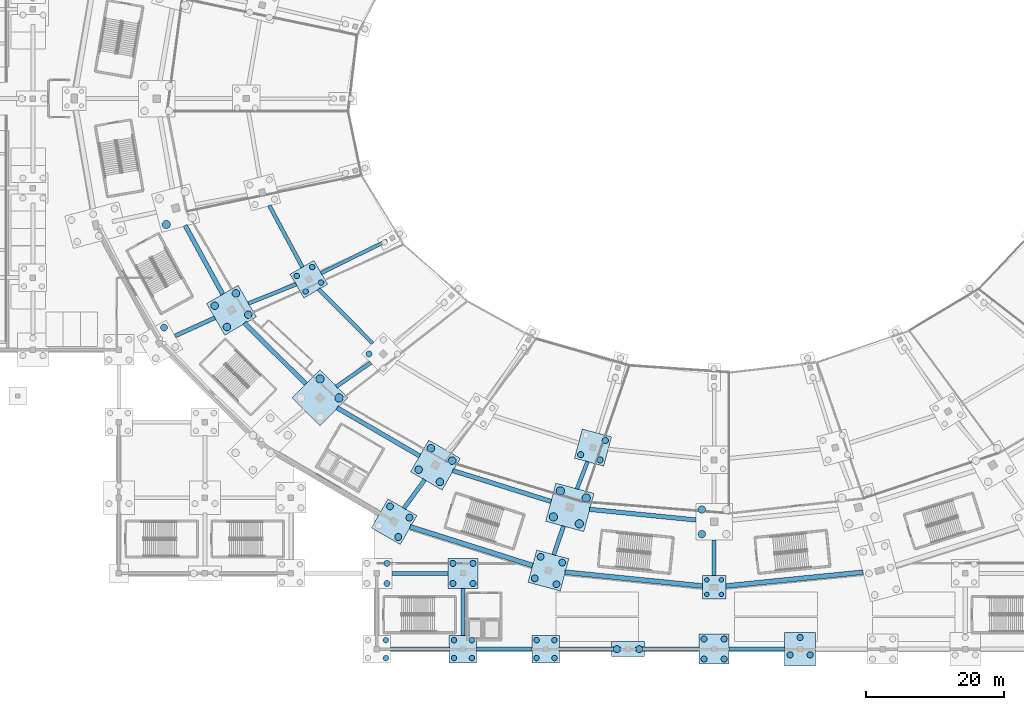
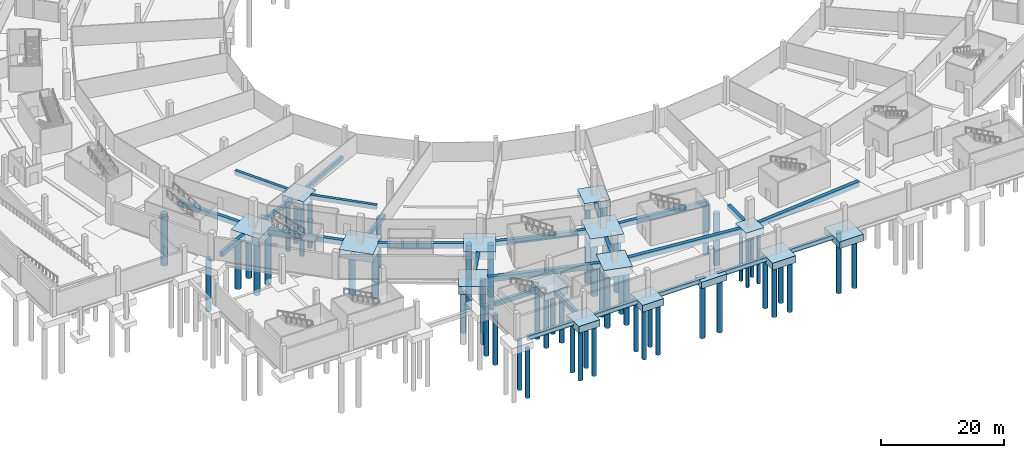
# One storey, part 2 of 74: 62 piles, 40 footings.
"""IFC4 building model written with IfcOpenShell, lengths in metres."""

from ifc_helpers import new_model, si_unit, direction, frame, origin, origin_2d, place, context, subcontext, project, spatial, polyline, rectangle, circle, outline, extrude, material, material_profile, profile_set, type_object, element, save


model = new_model("IFC4")

# Units and contexts
model_context = context("Model", 3, precision=1e-05, world=origin(), true_north=direction((0.0, 1.0)))
body_context = subcontext(model_context, "Body", "Model", "MODEL_VIEW")
ifc_project = project(units=[si_unit("LENGTHUNIT", "METRE"), si_unit("AREAUNIT", "SQUARE_METRE"), si_unit("VOLUMEUNIT", "CUBIC_METRE"), si_unit("PLANEANGLEUNIT", "RADIAN"), si_unit("MASSUNIT", "GRAM", prefix="KILO")], contexts=[model_context])

# Site, building, storey
site_placement = place(None, origin())
site = spatial("IfcSite", under=ifc_project, at=site_placement, CompositionType="ELEMENT")
building_placement = place(site_placement, origin())
building = spatial("IfcBuilding", under=site, at=building_placement, Name="Zlatoyarsky Gate Stadium", CompositionType="ELEMENT")
storey_placement = place(building_placement, frame((0.0, 0.0, -5.39990234375)))
storey = spatial("IfcBuildingStorey", under=building, at=storey_placement, Name="B1", CompositionType="ELEMENT", Elevation=-5.39990234375)

# Piles
ifc_material = material(Name="Concrete C35/45", Category="concrete")
ifc_material_profile_1 = material_profile(ifc_material, circle(Radius=0.324951171875, at=origin_2d()), Name="ANCHOR PILE D650")
ifc_profile_set_1 = profile_set([ifc_material_profile_1], Name="Concrete C35/45")
pile_type_1 = type_object("IfcPileType", Name="CONCRETE ANCHOR PILE D650", PredefinedType="SUPPORT", material=ifc_profile_set_1)
for number, where, z_axis, x_axis, name in (
    (1, (109.943603515625, 10.056396484375, -1.2001953125), (0.0, 0.0, -1.0), (1.0, 0.0, 0.0), "Pile 1 under RC-18"),
    (2, (109.943603515625, 7.943603515625, -1.2001953125), (0.0, 0.0, -1.0), (1.0, 0.0, 0.0), "Pile 2 under RC-18"),
    (3, (112.056396484375, 10.056396484375, -1.2001953125), (0.0, 0.0, -1.0), (1.0, 0.0, 0.0), "Pile 3 under RC-18"),
    (4, (112.056396484375, 7.943603515625, -1.2001953125), (0.0, 0.0, -1.0), (1.0, 0.0, 0.0), "Pile 4 under RC-18"),
):
    element("IfcPile", number, at=place(storey_placement, frame(where, z_axis=z_axis, x_axis=x_axis)), inside=storey, type_object=pile_type_1, Name=name, PredefinedType="SUPPORT", context=body_context, shape_type="SweptSolid", body=[
        extrude(circle(Radius=0.324951171875, at=origin_2d()), origin(), (0.0, 0.0, 1.0), 10.0),
    ])
ifc_material_profile_2 = material_profile(ifc_material, circle(Radius=0.5, at=origin_2d()), Name="BORED PILE D1000")
ifc_profile_set_2 = profile_set([ifc_material_profile_2], Name="Concrete C35/45")
pile_type_2 = type_object("IfcPileType", Name="CONCRETE BORED PILE D1000", PredefinedType="BORED", material=ifc_profile_set_2)
for number, where, z_axis, x_axis, name in (
    (5, (31.054443359375, 46.7197265625, -1.400146484375), (0.0, 0.0, -1.0), (1.0, 0.0, 0.0), "Pile 1 under RC-14"),
    (6, (63.9052734375, 20.73193359375, -1.400146484375), (0.0, 0.0, -1.0), (1.0, 0.0, 0.0), "Pile 1 under RC-16"),
    (7, (66.7197265625, 19.10693359375, -1.400146484375), (0.0, 0.0, -1.0), (1.0, 0.0, 0.0), "Pile 3 under RC-16"),
    (8, (65.0947265625, 16.29248046875, -1.400146484375), (0.0, 0.0, -1.0), (1.0, 0.0, 0.0), "Pile 4 under RC-16"),
    (9, (85.78076171875, 13.409423828125, -1.400146484375), (0.0, 0.0, -1.0), (1.0, 0.0, 0.0), "Pile 1 under RC-17"),
    (10, (84.939697265625, 10.270263671875, -1.400146484375), (0.0, 0.0, -1.0), (1.0, 0.0, 0.0), "Pile 2 under RC-17"),
    (11, (88.919921875, 12.568359375, -1.400146484375), (0.0, 0.0, -1.0), (1.0, 0.0, 0.0), "Pile 3 under RC-17"),
    (12, (88.078857421875, 9.42919921875, -1.400146484375), (0.0, 0.0, -1.0), (1.0, 0.0, 0.0), "Pile 4 under RC-17"),
):
    element("IfcPile", number, at=place(storey_placement, frame(where, z_axis=z_axis, x_axis=x_axis)), inside=storey, type_object=pile_type_2, Name=name, PredefinedType="BORED", context=body_context, shape_type="SweptSolid", body=[
        extrude(circle(Radius=0.5, at=origin_2d()), origin(), (0.0, 0.0, 1.0), 10.39990234375),
    ])
for number, where, z_axis, x_axis, name in (
    (13, (96.875, 0.0, -1.2001953125), (0.0, 0.0, -1.0), (1.0, 0.0, 0.0), "Pile 1 under WG-9-A"),
    (14, (100.125, 0.0, -1.2001953125), (0.0, 0.0, -1.0), (1.0, 0.0, 0.0), "Pile 2 under WG-9-A"),
):
    element("IfcPile", number, at=place(storey_placement, frame(where, z_axis=z_axis, x_axis=x_axis)), inside=storey, type_object=pile_type_2, Name=name, PredefinedType="BORED", context=body_context, shape_type="SweptSolid", body=[
        extrude(circle(Radius=0.5, at=origin_2d()), origin(), (0.0, 0.0, 1.0), 10.60009765625),
    ])
ifc_material_profile_3 = material_profile(ifc_material, circle(Radius=0.550048828125, at=origin_2d()), Name="BORED PILE D1100")
ifc_profile_set_3 = profile_set([ifc_material_profile_3], Name="Concrete C35/45")
pile_type_3 = type_object("IfcPileType", Name="CONCRETE BORED PILE D1100", PredefinedType="BORED", material=ifc_profile_set_3)
for number, where, z_axis, x_axis, name in (
    (15, (41.506103515625, 51.69189453125, -1.4501953125), (0.0, 0.0, -1.0), (1.0, 0.0, 0.0), "Pile 1 under RB-14"),
    (16, (38.41015625, 49.904296875, -1.4501953125), (0.0, 0.0, -1.0), (1.0, 0.0, 0.0), "Pile 2 under RB-14"),
    (17, (43.293701171875, 48.595703125, -1.4501953125), (0.0, 0.0, -1.0), (1.0, 0.0, 0.0), "Pile 3 under RB-14"),
    (18, (40.197509765625, 46.80810546875, -1.4501953125), (0.0, 0.0, -1.0), (1.0, 0.0, 0.0), "Pile 4 under RB-14"),
    (19, (69.845703125, 29.18115234375, -1.4501953125), (0.0, 0.0, -1.0), (1.0, 0.0, 0.0), "Pile 1 under RB-16"),
    (20, (68.05810546875, 26.085205078125, -1.4501953125), (0.0, 0.0, -1.0), (1.0, 0.0, 0.0), "Pile 2 under RB-16"),
    (21, (72.94189453125, 27.393798828125, -1.4501953125), (0.0, 0.0, -1.0), (1.0, 0.0, 0.0), "Pile 3 under RB-16"),
    (22, (71.154296875, 24.297607421875, -1.4501953125), (0.0, 0.0, -1.0), (1.0, 0.0, 0.0), "Pile 4 under RB-16"),
    (23, (109.21240234375, 20.28759765625, -1.4501953125), (0.0, 0.0, -1.0), (1.0, 0.0, 0.0), "Pile 1 under RB-18"),
    (24, (109.21240234375, 16.71240234375, -1.4501953125), (0.0, 0.0, -1.0), (1.0, 0.0, 0.0), "Pile 2 under RB-18"),
):
    element("IfcPile", number, at=place(storey_placement, frame(where, z_axis=z_axis, x_axis=x_axis)), inside=storey, type_object=pile_type_3, Name=name, PredefinedType="BORED", context=body_context, shape_type="SweptSolid", body=[
        extrude(circle(Radius=0.550048828125, at=origin_2d()), origin(), (0.0, 0.0, 1.0), 10.35009765625),
    ])
ifc_material_profile_4 = material_profile(ifc_material, circle(Radius=0.60009765625, at=origin_2d()), Name="BORED PILE D1200")
ifc_profile_set_4 = profile_set([ifc_material_profile_4], Name="Concrete C35/45")
pile_type_4 = type_object("IfcPileType", Name="CONCRETE BORED PILE D1200", PredefinedType="BORED", material=ifc_profile_set_4)
for number, where, z_axis, x_axis, name in (
    (25, (31.381103515625, 61.6943359375, -1.550048828125), (0.0, 0.0, -1.0), (1.0, 0.0, 0.0), "Pile 4 under RB-13"),
    (26, (53.724365234375, 39.2705078125, -1.550048828125), (0.0, 0.0, -1.0), (1.0, 0.0, 0.0), "Pile 1 under RB-15"),
    (27, (56.482177734375, 36.512939453125, -1.550048828125), (0.0, 0.0, -1.0), (1.0, 0.0, 0.0), "Pile 3 under RB-15"),
    (28, (88.65673828125, 22.98388671875, -1.550048828125), (0.0, 0.0, -1.0), (1.0, 0.0, 0.0), "Pile 1 under RB-17"),
    (29, (87.6474609375, 19.216796875, -1.550048828125), (0.0, 0.0, -1.0), (1.0, 0.0, 0.0), "Pile 2 under RB-17"),
    (30, (92.424072265625, 21.974609375, -1.550048828125), (0.0, 0.0, -1.0), (1.0, 0.0, 0.0), "Pile 3 under RB-17"),
    (31, (91.41455078125, 18.207275390625, -1.550048828125), (0.0, 0.0, -1.0), (1.0, 0.0, 0.0), "Pile 4 under RB-17"),
):
    element("IfcPile", number, at=place(storey_placement, frame(where, z_axis=z_axis, x_axis=x_axis)), inside=storey, type_object=pile_type_4, Name=name, PredefinedType="BORED", context=body_context, shape_type="SweptSolid", body=[
        extrude(circle(Radius=0.60009765625, at=origin_2d()), origin(), (0.0, 0.0, 1.0), 10.25),
    ])
ifc_material_profile_5 = material_profile(ifc_material, circle(Radius=0.39990234375, at=origin_2d()), Name="BORED PILE D800")
ifc_profile_set_5 = profile_set([ifc_material_profile_5], Name="Concrete C35/45")
pile_type_5 = type_object("IfcPileType", Name="CONCRETE BORED PILE D800", PredefinedType="BORED", material=ifc_profile_set_5)
for number, where, z_axis, x_axis, name in (
    (32, (52.586181640625, 55.52587890625, -1.25), (0.0, 0.0, -1.0), (1.0, 0.0, 0.0), "Pile 1 under RA-14"),
    (33, (50.33447265625, 54.225830078125, -1.25), (0.0, 0.0, -1.0), (1.0, 0.0, 0.0), "Pile 2 under RA-14"),
    (34, (53.885986328125, 53.274169921875, -1.25), (0.0, 0.0, -1.0), (1.0, 0.0, 0.0), "Pile 3 under RA-14"),
    (35, (51.634521484375, 51.97412109375, -1.25), (0.0, 0.0, -1.0), (1.0, 0.0, 0.0), "Pile 4 under RA-14"),
    (36, (63.300048828125, -1.300048828125, -1.25), (0.0, 0.0, -1.0), (1.0, 0.0, 0.0), "Pile 2 under WG-6-A"),
    (37, (63.300048828125, 1.300048828125, -1.25), (0.0, 0.0, -1.0), (1.0, 0.0, 0.0), "Pile 4 under WG-6-A"),
    (38, (73.199951171875, -1.300048828125, -1.25), (0.0, 0.0, -1.0), (1.0, 0.0, 0.0), "Pile 1 under WG-7-A"),
    (39, (75.800048828125, -1.300048828125, -1.25), (0.0, 0.0, -1.0), (1.0, 0.0, 0.0), "Pile 2 under WG-7-A"),
    (40, (73.199951171875, 1.300048828125, -1.25), (0.0, 0.0, -1.0), (1.0, 0.0, 0.0), "Pile 3 under WG-7-A"),
    (41, (75.800048828125, 1.300048828125, -1.25), (0.0, 0.0, -1.0), (1.0, 0.0, 0.0), "Pile 4 under WG-7-A"),
    (42, (85.199951171875, -1.300048828125, -1.25), (0.0, 0.0, -1.0), (1.0, 0.0, 0.0), "Pile 1 under WG-8-A"),
    (43, (87.800048828125, -1.300048828125, -1.25), (0.0, 0.0, -1.0), (1.0, 0.0, 0.0), "Pile 2 under WG-8-A"),
    (44, (85.199951171875, 1.300048828125, -1.25), (0.0, 0.0, -1.0), (1.0, 0.0, 0.0), "Pile 3 under WG-8-A"),
    (45, (87.800048828125, 1.300048828125, -1.25), (0.0, 0.0, -1.0), (1.0, 0.0, 0.0), "Pile 4 under WG-8-A"),
):
    element("IfcPile", number, at=place(storey_placement, frame(where, z_axis=z_axis, x_axis=x_axis)), inside=storey, type_object=pile_type_5, Name=name, PredefinedType="BORED", context=body_context, shape_type="SweptSolid", body=[
        extrude(circle(Radius=0.39990234375, at=origin_2d()), origin(), (0.0, 0.0, 1.0), 9.949951171875),
    ])
ifc_material_profile_6 = material_profile(ifc_material, circle(Radius=0.449951171875, at=origin_2d()), Name="BORED PILE D900")
ifc_profile_set_6 = profile_set([ifc_material_profile_6], Name="Concrete C35/45")
pile_type_6 = type_object("IfcPileType", Name="CONCRETE BORED PILE D900", PredefinedType="BORED", material=ifc_profile_set_6)
for number, where, z_axis, x_axis, name in (
    (46, (60.848388671875, 42.876953125, -1.300048828125), (0.0, 0.0, -1.0), (1.0, 0.0, 0.0), "Pile 2 under RA-15"),
    (47, (91.609130859375, 28.2548828125, -1.300048828125), (0.0, 0.0, -1.0), (1.0, 0.0, 0.0), "Pile 2 under RA-17"),
    (48, (95.19140625, 30.322998046875, -1.300048828125), (0.0, 0.0, -1.0), (1.0, 0.0, 0.0), "Pile 3 under RA-17"),
    (49, (94.434326171875, 27.497802734375, -1.300048828125), (0.0, 0.0, -1.0), (1.0, 0.0, 0.0), "Pile 4 under RA-17"),
    (50, (109.53759765625, -1.46240234375, -1.300048828125), (0.0, 0.0, -1.0), (1.0, 0.0, 0.0), "Pile 1 under WG-10-A"),
    (51, (112.46240234375, -1.46240234375, -1.300048828125), (0.0, 0.0, -1.0), (1.0, 0.0, 0.0), "Pile 2 under WG-10-A"),
    (52, (109.53759765625, 1.46240234375, -1.300048828125), (0.0, 0.0, -1.0), (1.0, 0.0, 0.0), "Pile 3 under WG-10-A"),
    (53, (112.46240234375, 1.46240234375, -1.300048828125), (0.0, 0.0, -1.0), (1.0, 0.0, 0.0), "Pile 4 under WG-10-A"),
):
    element("IfcPile", number, at=place(storey_placement, frame(where, z_axis=z_axis, x_axis=x_axis)), inside=storey, type_object=pile_type_6, Name=name, PredefinedType="BORED", context=body_context, shape_type="SweptSolid", body=[
        extrude(circle(Radius=0.449951171875, at=origin_2d()), origin(), (0.0, 0.0, 1.0), 9.89990234375),
    ])
for number, where, z_axis, x_axis, name in (
    (54, (122.03759765625, -0.84423828125, -1.25), (0.0, 0.0, -1.0), (1.0, 0.0, 0.0), "Pile 1 under WG-11-A"),
    (55, (124.96240234375, -0.84423828125, -1.25), (0.0, 0.0, -1.0), (1.0, 0.0, 0.0), "Pile 2 under WG-11-A"),
    (56, (123.5, 1.688720703125, -1.25), (0.0, 0.0, -1.0), (1.0, 0.0, 0.0), "Pile 3 under WG-11-A"),
):
    element("IfcPile", number, at=place(storey_placement, frame(where, z_axis=z_axis, x_axis=x_axis)), inside=storey, type_object=pile_type_6, Name=name, PredefinedType="BORED", context=body_context, shape_type="SweptSolid", body=[
        extrude(circle(Radius=0.449951171875, at=origin_2d()), origin(), (0.0, 0.0, 1.0), 9.949951171875),
    ])
for number, where, z_axis, x_axis, name in (
    (57, (63.46240234375, 9.53759765625, -1.300048828125), (0.0, 0.0, -1.0), (1.0, 0.0, 0.0), "Pile 2 under WG-6-B"),
    (58, (63.46240234375, 12.46240234375, -1.300048828125), (0.0, 0.0, -1.0), (1.0, 0.0, 0.0), "Pile 4 under WG-6-B"),
    (59, (73.03759765625, 9.53759765625, -1.300048828125), (0.0, 0.0, -1.0), (1.0, 0.0, 0.0), "Pile 1 under WG-7-B"),
    (60, (75.96240234375, 9.53759765625, -1.300048828125), (0.0, 0.0, -1.0), (1.0, 0.0, 0.0), "Pile 2 under WG-7-B"),
    (61, (73.03759765625, 12.46240234375, -1.300048828125), (0.0, 0.0, -1.0), (1.0, 0.0, 0.0), "Pile 3 under WG-7-B"),
    (62, (75.96240234375, 12.46240234375, -1.300048828125), (0.0, 0.0, -1.0), (1.0, 0.0, 0.0), "Pile 4 under WG-7-B"),
):
    element("IfcPile", number, at=place(storey_placement, frame(where, z_axis=z_axis, x_axis=x_axis)), inside=storey, type_object=pile_type_6, Name=name, PredefinedType="BORED", context=body_context, shape_type="SweptSolid", body=[
        extrude(circle(Radius=0.449951171875, at=origin_2d()), origin(), (0.0, 0.0, 1.0), 9.89990234375),
    ])

# Footings
ifc_material_profile_7 = material_profile(ifc_material, rectangle(XDim=0.5, YDim=0.800048828125, at=origin_2d()), Name="GB 500X800")
ifc_profile_set_7 = profile_set([ifc_material_profile_7], Name="Concrete C35/45")
footing_type_1 = type_object("IfcFootingType", Name="CONCRETE GROUND TIE BEAM 500X800", PredefinedType="STRIP_FOOTING", material=ifc_profile_set_7)
footing_1_placement = place(storey_placement, frame((0.0, 0.0, -0.800048828125)))
element("IfcFooting", 63, at=footing_1_placement, inside=storey, type_object=footing_type_1, Name="Ground tie beam GB-01 R0-14 to RA-14", PredefinedType="STRIP_FOOTING", context=body_context, shape_type="SweptSolid", body=[
    extrude(outline(polyline([(63.325927734375, 59.579345703125), (53.782958984375, 54.856689453125), (54.0048828125, 54.408447265625), (63.5478515625, 59.13134765625), (63.325927734375, 59.579345703125)])), origin(), (0.0, 0.0, 1.0), 0.800048828125),
])
ifc_material_profile_8 = material_profile(ifc_material, rectangle(XDim=0.550048828125, YDim=0.85009765625, at=origin_2d()), Name="GB 550X850")
ifc_profile_set_8 = profile_set([ifc_material_profile_8], Name="Concrete C35/45")
footing_type_2 = type_object("IfcFootingType", Name="CONCRETE GROUND TIE BEAM 550X850", PredefinedType="STRIP_FOOTING", material=ifc_profile_set_8)
footing_2_placement = place(storey_placement, frame((0.0, 0.0, -0.85009765625)))
element("IfcFooting", 64, at=footing_2_placement, inside=storey, type_object=footing_type_2, Name="Ground tie beam GB-02 RA-13 to RA-14", PredefinedType="STRIP_FOOTING", context=body_context, shape_type="SweptSolid", body=[
    extrude(outline(polyline([(46.110107421875, 64.352294921875), (50.92724609375, 55.37353515625), (51.411865234375, 55.633544921875), (46.5947265625, 64.6123046875), (46.110107421875, 64.352294921875)])), origin(), (0.0, 0.0, 1.0), 0.85009765625),
])
footing_3_placement = place(storey_placement, frame((0.0, 0.0, -0.85009765625)))
element("IfcFooting", 65, at=footing_3_placement, inside=storey, type_object=footing_type_2, Name="Ground tie beam GB-02 RA-14 to RB-14", PredefinedType="STRIP_FOOTING", context=body_context, shape_type="SweptSolid", body=[
    extrude(outline(polyline([(50.160400390625, 53.266845703125), (43.201171875, 50.485107421875), (43.4052734375, 49.974365234375), (50.364501953125, 52.756103515625), (50.160400390625, 53.266845703125)])), origin(), (0.0, 0.0, 1.0), 0.85009765625),
])
footing_4_placement = place(storey_placement, frame((0.0, 0.0, -0.85009765625)))
element("IfcFooting", 66, at=footing_4_placement, inside=storey, type_object=footing_type_2, Name="Ground tie beam GB-02 RA-14 to RA-15", PredefinedType="STRIP_FOOTING", context=body_context, shape_type="SweptSolid", body=[
    extrude(outline(polyline([(53.318115234375, 52.14453125), (61.177734375, 44.236328125), (61.56787109375, 44.6240234375), (53.708251953125, 52.532470703125), (53.318115234375, 52.14453125)])), origin(), (0.0, 0.0, 1.0), 0.85009765625),
])
footing_5_placement = place(storey_placement, frame((0.0, 0.0, -0.85009765625)))
element("IfcFooting", 67, at=footing_5_placement, inside=storey, type_object=footing_type_2, Name="Ground tie beam GB-02 RA-15 to RB-15", PredefinedType="STRIP_FOOTING", context=body_context, shape_type="SweptSolid", body=[
    extrude(outline(polyline([(60.95947265625, 41.8564453125), (55.923583984375, 38.369873046875), (56.236572265625, 37.91748046875), (61.272705078125, 41.404296875), (60.95947265625, 41.8564453125)])), origin(), (0.0, 0.0, 1.0), 0.85009765625),
])
footing_6_placement = place(storey_placement, frame((0.0, 0.0, -0.85009765625)))
element("IfcFooting", 68, at=footing_6_placement, inside=storey, type_object=footing_type_2, Name="Ground tie beam GB-02 RA-17 to RB-17", PredefinedType="STRIP_FOOTING", context=body_context, shape_type="SweptSolid", body=[
    extrude(outline(polyline([(92.353271484375, 27.345703125), (90.813232421875, 23.36669921875), (91.326171875, 23.168212890625), (92.8662109375, 27.147216796875), (92.353271484375, 27.345703125)])), origin(), (0.0, 0.0, 1.0), 0.85009765625),
])
footing_7_placement = place(storey_placement, frame((0.0, 0.0, -0.85009765625)))
element("IfcFooting", 69, at=footing_7_placement, inside=storey, type_object=footing_type_2, Name="Ground tie beam GB-02 WG-10-A to WG-11-A", PredefinedType="STRIP_FOOTING", context=body_context, shape_type="SweptSolid", body=[
    extrude(outline(polyline([(113.18994140625, -0.27490234375), (121.260009765625, -0.27490234375), (121.260009765625, 0.27490234375), (113.18994140625, 0.27490234375), (113.18994140625, -0.27490234375)])), origin(), (0.0, 0.0, 1.0), 0.85009765625),
])
footing_8_placement = place(storey_placement, frame((0.0, 0.0, -0.85009765625)))
element("IfcFooting", 70, at=footing_8_placement, inside=storey, type_object=footing_type_2, Name="Ground tie beam GB-02 WG-6-A to WG-7-A", PredefinedType="STRIP_FOOTING", context=body_context, shape_type="SweptSolid", body=[
    extrude(outline(polyline([(63.989990234375, -0.27490234375), (72.510009765625, -0.27490234375), (72.510009765625, 0.27490234375), (63.989990234375, 0.27490234375), (63.989990234375, -0.27490234375)])), origin(), (0.0, 0.0, 1.0), 0.85009765625),
])
footing_9_placement = place(storey_placement, frame((0.0, 0.0, -0.85009765625)))
element("IfcFooting", 71, at=footing_9_placement, inside=storey, type_object=footing_type_2, Name="Ground tie beam GB-02 WG-6-B to WG-7-B", PredefinedType="STRIP_FOOTING", context=body_context, shape_type="SweptSolid", body=[
    extrude(outline(polyline([(64.18994140625, 10.72509765625), (72.31005859375, 10.72509765625), (72.31005859375, 11.27490234375), (64.18994140625, 11.27490234375), (64.18994140625, 10.72509765625)])), origin(), (0.0, 0.0, 1.0), 0.85009765625),
])
footing_10_placement = place(storey_placement, frame((0.0, 0.0, -0.85009765625)))
element("IfcFooting", 72, at=footing_10_placement, inside=storey, type_object=footing_type_2, Name="Ground tie beam GB-02 WG-7-A to WG-8-A", PredefinedType="STRIP_FOOTING", context=body_context, shape_type="SweptSolid", body=[
    extrude(outline(polyline([(76.489990234375, -0.27490234375), (84.510009765625, -0.27490234375), (84.510009765625, 0.27490234375), (76.489990234375, 0.27490234375), (76.489990234375, -0.27490234375)])), origin(), (0.0, 0.0, 1.0), 0.85009765625),
])
footing_11_placement = place(storey_placement, frame((0.0, 0.0, -0.85009765625)))
element("IfcFooting", 73, at=footing_11_placement, inside=storey, type_object=footing_type_2, Name="Ground tie beam GB-02 WG-8-A to WG-9-A", PredefinedType="STRIP_FOOTING", context=body_context, shape_type="SweptSolid", body=[
    extrude(outline(polyline([(88.489990234375, -0.27490234375), (97.409912109375, -0.27490234375), (97.409912109375, 0.27490234375), (88.489990234375, 0.27490234375), (88.489990234375, -0.27490234375)])), origin(), (0.0, 0.0, 1.0), 0.85009765625),
])
footing_12_placement = place(storey_placement, frame((0.0, 0.0, -0.85009765625)))
element("IfcFooting", 74, at=footing_12_placement, inside=storey, type_object=footing_type_2, Name="Ground tie beam GB-02 WG-9-A to WG-10-A", PredefinedType="STRIP_FOOTING", context=body_context, shape_type="SweptSolid", body=[
    extrude(outline(polyline([(99.590087890625, -0.27490234375), (108.81005859375, -0.27490234375), (108.81005859375, 0.27490234375), (99.590087890625, 0.27490234375), (99.590087890625, -0.27490234375)])), origin(), (0.0, 0.0, 1.0), 0.85009765625),
])
ifc_material_profile_9 = material_profile(ifc_material, rectangle(XDim=0.60009765625, YDim=0.89990234375, at=origin_2d()), Name="GB 600X900")
ifc_profile_set_9 = profile_set([ifc_material_profile_9], Name="Concrete C35/45")
footing_type_3 = type_object("IfcFootingType", Name="CONCRETE GROUND TIE BEAM 600X900", PredefinedType="STRIP_FOOTING", material=ifc_profile_set_9)
footing_13_placement = place(storey_placement, frame((0.0, 0.0, -0.900146484375)))
element("IfcFooting", 75, at=footing_13_placement, inside=storey, type_object=footing_type_3, Name="Ground tie beam GB-03 RB-14 to RC-14", PredefinedType="STRIP_FOOTING", context=body_context, shape_type="SweptSolid", body=[
    extrude(outline(polyline([(38.326171875, 48.42529296875), (32.53125, 45.77685546875), (32.78076171875, 45.23095703125), (38.575439453125, 47.879638671875), (38.326171875, 48.42529296875)])), origin(), (0.0, 0.0, 1.0), 0.900146484375),
])
footing_14_placement = place(storey_placement, frame((0.0, 0.0, -0.900146484375)))
element("IfcFooting", 76, at=footing_14_placement, inside=storey, type_object=footing_type_3, Name="Ground tie beam GB-03 RB-16 to RC-16", PredefinedType="STRIP_FOOTING", context=body_context, shape_type="SweptSolid", body=[
    extrude(outline(polyline([(68.701904296875, 24.783203125), (65.6806640625, 20.64013671875), (66.165283203125, 20.28662109375), (69.186767578125, 24.4296875), (68.701904296875, 24.783203125)])), origin(), (0.0, 0.0, 1.0), 0.900146484375),
])
footing_15_placement = place(storey_placement, frame((0.0, 0.0, -0.900146484375)))
element("IfcFooting", 77, at=footing_15_placement, inside=storey, type_object=footing_type_3, Name="Ground tie beam GB-03 RB-17 to RC-17", PredefinedType="STRIP_FOOTING", context=body_context, shape_type="SweptSolid", body=[
    extrude(outline(polyline([(88.8330078125, 17.97802734375), (87.419921875, 13.802978515625), (87.98828125, 13.610595703125), (89.4013671875, 17.78564453125), (88.8330078125, 17.97802734375)])), origin(), (0.0, 0.0, 1.0), 0.900146484375),
])
footing_16_placement = place(storey_placement, frame((0.0, 0.0, -0.900146484375)))
element("IfcFooting", 78, at=footing_16_placement, inside=storey, type_object=footing_type_3, Name="Ground tie beam GB-03 RB-18 to RC-18", PredefinedType="STRIP_FOOTING", context=body_context, shape_type="SweptSolid", body=[
    extrude(outline(polyline([(110.699951171875, 15.860107421875), (110.699951171875, 10.68994140625), (111.300048828125, 10.68994140625), (111.300048828125, 15.860107421875), (110.699951171875, 15.860107421875)])), origin(), (0.0, 0.0, 1.0), 0.900146484375),
])
footing_17_placement = place(storey_placement, frame((0.0, 0.0, -0.900146484375)))
element("IfcFooting", 79, at=footing_17_placement, inside=storey, type_object=footing_type_3, Name="Ground tie beam GB-03 WG-7-A to WG-7-B", PredefinedType="STRIP_FOOTING", context=body_context, shape_type="SweptSolid", body=[
    extrude(outline(polyline([(74.800048828125, 1.989990234375), (74.800048828125, 8.81005859375), (74.199951171875, 8.81005859375), (74.199951171875, 1.989990234375), (74.800048828125, 1.989990234375)])), origin(), (0.0, 0.0, 1.0), 0.900146484375),
])
ifc_material_profile_10 = material_profile(ifc_material, rectangle(XDim=0.64990234375, YDim=0.949951171875, at=origin_2d()), Name="GB 650X950")
ifc_profile_set_10 = profile_set([ifc_material_profile_10], Name="Concrete C35/45")
footing_type_4 = type_object("IfcFootingType", Name="CONCRETE GROUND TIE BEAM 650X950", PredefinedType="STRIP_FOOTING", material=ifc_profile_set_10)
footing_18_placement = place(storey_placement, frame((0.0, 0.0, -0.9501953125)))
element("IfcFooting", 80, at=footing_18_placement, inside=storey, type_object=footing_type_4, Name="Ground tie beam GB-04 RB-13 to RB-14", PredefinedType="STRIP_FOOTING", context=body_context, shape_type="SweptSolid", body=[
    extrude(outline(polyline([(33.8466796875, 61.411865234375), (39.30224609375, 51.411865234375), (39.872802734375, 51.72314453125), (34.41748046875, 61.72314453125), (33.8466796875, 61.411865234375)])), origin(), (0.0, 0.0, 1.0), 0.9501953125),
])
footing_19_placement = place(storey_placement, frame((0.0, 0.0, -0.9501953125)))
element("IfcFooting", 81, at=footing_19_placement, inside=storey, type_object=footing_type_4, Name="Ground tie beam GB-04 RB-14 to RB-15", PredefinedType="STRIP_FOOTING", context=body_context, shape_type="SweptSolid", body=[
    extrude(outline(polyline([(42.5, 47.162109375), (51.459228515625, 38.296875), (51.91650390625, 38.759033203125), (42.95703125, 47.6240234375), (42.5, 47.162109375)])), origin(), (0.0, 0.0, 1.0), 0.9501953125),
])
footing_20_placement = place(storey_placement, frame((0.0, 0.0, -0.9501953125)))
element("IfcFooting", 82, at=footing_20_placement, inside=storey, type_object=footing_type_4, Name="Ground tie beam GB-04 RB-15 to RB-16", PredefinedType="STRIP_FOOTING", context=body_context, shape_type="SweptSolid", body=[
    extrude(outline(polyline([(56.036376953125, 34.789794921875), (68.05517578125, 27.78759765625), (68.382568359375, 28.34912109375), (56.363525390625, 35.3515625), (56.036376953125, 34.789794921875)])), origin(), (0.0, 0.0, 1.0), 0.9501953125),
])
footing_21_placement = place(storey_placement, frame((0.0, 0.0, -0.9501953125)))
element("IfcFooting", 83, at=footing_21_placement, inside=storey, type_object=footing_type_4, Name="Ground tie beam GB-04 RB-16 to RB-17", PredefinedType="STRIP_FOOTING", context=body_context, shape_type="SweptSolid", body=[
    extrude(outline(polyline([(72.9208984375, 25.637451171875), (87.205078125, 21.14501953125), (87.400146484375, 21.76513671875), (73.115966796875, 26.25732421875), (72.9208984375, 25.637451171875)])), origin(), (0.0, 0.0, 1.0), 0.9501953125),
])
footing_22_placement = place(storey_placement, frame((0.0, 0.0, -0.9501953125)))
element("IfcFooting", 84, at=footing_22_placement, inside=storey, type_object=footing_type_4, Name="Ground tie beam GB-04 RB-17 to RB-18", PredefinedType="STRIP_FOOTING", context=body_context, shape_type="SweptSolid", body=[
    extrude(outline(polyline([(92.854248046875, 19.9873046875), (108.3408203125, 18.439208984375), (108.405517578125, 19.0859375), (92.9189453125, 20.634033203125), (92.854248046875, 19.9873046875)])), origin(), (0.0, 0.0, 1.0), 0.9501953125),
])
ifc_material_profile_11 = material_profile(ifc_material, rectangle(XDim=0.699951171875, YDim=1.0, at=origin_2d()), Name="GB 700X1000")
ifc_profile_set_11 = profile_set([ifc_material_profile_11], Name="Concrete C35/45")
footing_type_5 = type_object("IfcFootingType", Name="CONCRETE GROUND TIE BEAM 700X1000", PredefinedType="STRIP_FOOTING", material=ifc_profile_set_11)
footing_23_placement = place(storey_placement, frame((0.0, 0.0, -1.0)))
element("IfcFooting", 85, at=footing_23_placement, inside=storey, type_object=footing_type_5, Name="Ground tie beam GB-05 RC-16 to RC-17", PredefinedType="STRIP_FOOTING", context=body_context, shape_type="SweptSolid", body=[
    extrude(outline(polyline([(66.697021484375, 17.450439453125), (84.521728515625, 11.813720703125), (84.732666015625, 12.481201171875), (66.908203125, 18.117919921875), (66.697021484375, 17.450439453125)])), origin(), (0.0, 0.0, 1.0), 1.0),
])
footing_24_placement = place(storey_placement, frame((0.0, 0.0, -1.0)))
element("IfcFooting", 86, at=footing_24_placement, inside=storey, type_object=footing_type_5, Name="Ground tie beam GB-05 RC-17 to RC-18", PredefinedType="STRIP_FOOTING", context=body_context, shape_type="SweptSolid", body=[
    extrude(outline(polyline([(89.297607421875, 10.82958984375), (109.283447265625, 8.82080078125), (109.353515625, 9.517333984375), (89.36767578125, 11.526123046875), (89.297607421875, 10.82958984375)])), origin(), (0.0, 0.0, 1.0), 1.0),
])
footing_25_placement = place(storey_placement, frame((0.0, 0.0, -1.0)))
element("IfcFooting", 87, at=footing_25_placement, inside=storey, type_object=footing_type_5, Name="Ground tie beam GB-05 RC-18 to RC-19", PredefinedType="STRIP_FOOTING", context=body_context, shape_type="SweptSolid", body=[
    extrude(outline(polyline([(112.716552734375, 8.82080078125), (132.702392578125, 10.82958984375), (132.63232421875, 11.526123046875), (112.646484375, 9.517333984375), (112.716552734375, 8.82080078125)])), origin(), (0.0, 0.0, 1.0), 1.0),
])
footing_type_6 = type_object("IfcFootingType", Name="CONCRETE PILE CAP 3400X3400X1300", PredefinedType="PILE_CAP", material=ifc_material)
footing_26_placement = place(storey_placement, frame((111.0, 9.0, -1.30029296875), z_axis=(0.0, 0.0, 1.0), x_axis=(0.0, -1.0, 0.0)))
element("IfcFooting", 88, at=footing_26_placement, inside=storey, type_object=footing_type_6, Name="Pile cap PC-10 at RC-18", PredefinedType="PILE_CAP", context=body_context, shape_type="SweptSolid", body=[
    extrude(rectangle(XDim=3.39990234375, YDim=3.39990234375, at=origin_2d()), origin(), (0.0, 0.0, 1.0), 1.300048828125),
])
footing_type_7 = type_object("IfcFootingType", Name="CONCRETE PILE CAP 4000X4000X1350", PredefinedType="PILE_CAP", material=ifc_material)
for number, where, z_axis, x_axis, name in (
    (89, (52.1103515625, 53.75, -1.35009765625), (0.0, 0.0, 1.0), (-0.866025403784, -0.5, 0.0), "Pile cap PC-05 at RA-14"),
    (90, (74.5, 0.0, -1.35009765625), (0.0, 0.0, 1.0), (1.0, 0.0, 0.0), "Pile cap PC-05 at WG-7-A"),
    (91, (86.5, 0.0, -1.35009765625), (0.0, 0.0, 1.0), (1.0, 0.0, 0.0), "Pile cap PC-05 at WG-8-A"),
):
    element("IfcFooting", number, at=place(storey_placement, frame(where, z_axis=z_axis, x_axis=x_axis)), inside=storey, type_object=footing_type_7, Name=name, PredefinedType="PILE_CAP", context=body_context, shape_type="SweptSolid", body=[
        extrude(rectangle(XDim=4.0, YDim=4.0, at=origin_2d()), origin(), (0.0, 0.0, 1.0), 1.35009765625),
    ])
footing_type_8 = type_object("IfcFootingType", Name="CONCRETE PILE CAP 4400X4400X1400", PredefinedType="PILE_CAP", material=ifc_material)
for number, where, z_axis, x_axis, name in (
    (92, (93.400390625, 29.288818359375, -1.400146484375), (0.0, 0.0, 1.0), (-0.258819045103, -0.965925826289, 0.0), "Pile cap PC-06 at RA-17"),
    (93, (111.0, 0.0, -1.400146484375), (0.0, 0.0, 1.0), (1.0, 0.0, 0.0), "Pile cap PC-06 at WG-10-A"),
    (94, (74.5, 11.0, -1.400146484375), (0.0, 0.0, 1.0), (1.0, 0.0, 0.0), "Pile cap PC-06 at WG-7-B"),
):
    element("IfcFooting", number, at=place(storey_placement, frame(where, z_axis=z_axis, x_axis=x_axis)), inside=storey, type_object=footing_type_8, Name=name, PredefinedType="PILE_CAP", context=body_context, shape_type="SweptSolid", body=[
        extrude(rectangle(XDim=4.39990234375, YDim=4.39990234375, at=origin_2d()), origin(), (0.0, 0.0, 1.0), 1.39990234375),
    ])
footing_type_9 = type_object("IfcFootingType", Name="CONCRETE PILE CAP 4500X4850X1350", PredefinedType="PILE_CAP", material=ifc_material)
footing_27_placement = place(storey_placement, frame((123.5, 0.0, -1.35009765625), z_axis=(0.0, 0.0, 1.0), x_axis=(1.0, 0.0, 0.0)))
element("IfcFooting", 95, at=footing_27_placement, inside=storey, type_object=footing_type_9, Name="Pile cap PC-04 at WG-11-A", PredefinedType="PILE_CAP", context=body_context, shape_type="SweptSolid", body=[
    extrude(rectangle(XDim=4.5, YDim=4.85009765625, at=origin_2d()), origin(), (0.0, 0.0, 1.0), 1.35009765625),
])
footing_type_10 = type_object("IfcFootingType", Name="CONCRETE PILE CAP 4800X2200X1300", PredefinedType="PILE_CAP", material=ifc_material)
footing_28_placement = place(storey_placement, frame((98.5, 0.0, -1.30029296875), z_axis=(0.0, 0.0, 1.0), x_axis=(1.0, 0.0, 0.0)))
element("IfcFooting", 96, at=footing_28_placement, inside=storey, type_object=footing_type_10, Name="Pile cap PC-03 at WG-9-A", PredefinedType="PILE_CAP", context=body_context, shape_type="SweptSolid", body=[
    extrude(rectangle(XDim=4.800048828125, YDim=2.199951171875, at=origin_2d()), origin(), (0.0, 0.0, 1.0), 1.300048828125),
])
footing_type_11 = type_object("IfcFootingType", Name="CONCRETE PILE CAP 4850X4850X1500", PredefinedType="PILE_CAP", material=ifc_material)
for number, where, z_axis, x_axis, name in (
    (97, (64.5, 18.51220703125, -1.5), (0.0, 0.0, 1.0), (-0.5, -0.866025403784, 0.0), "Pile cap PC-07 at RC-16"),
    (98, (86.9296875, 11.419189453125, -1.5), (0.0, 0.0, 1.0), (-0.258819045103, -0.965925826289, 0.0), "Pile cap PC-07 at RC-17"),
):
    element("IfcFooting", number, at=place(storey_placement, frame(where, z_axis=z_axis, x_axis=x_axis)), inside=storey, type_object=footing_type_11, Name=name, PredefinedType="PILE_CAP", context=body_context, shape_type="SweptSolid", body=[
        extrude(rectangle(XDim=4.85009765625, YDim=4.85009765625, at=origin_2d()), origin(), (0.0, 0.0, 1.0), 1.5),
    ])
footing_type_12 = type_object("IfcFootingType", Name="CONCRETE PILE CAP 5300X5300X1550", PredefinedType="PILE_CAP", material=ifc_material)
for number, where, z_axis, x_axis, name in (
    (99, (40.851806640625, 49.25, -1.55029296875), (0.0, 0.0, 1.0), (-0.866025403784, -0.5, 0.0), "Pile cap PC-08 at RB-14"),
    (100, (70.5, 26.739501953125, -1.55029296875), (0.0, 0.0, 1.0), (-0.5, -0.866025403784, 0.0), "Pile cap PC-08 at RB-16"),
):
    element("IfcFooting", number, at=place(storey_placement, frame(where, z_axis=z_axis, x_axis=x_axis)), inside=storey, type_object=footing_type_12, Name=name, PredefinedType="PILE_CAP", context=body_context, shape_type="SweptSolid", body=[
        extrude(rectangle(XDim=5.300048828125, YDim=5.300048828125, at=origin_2d()), origin(), (0.0, 0.0, 1.0), 1.550048828125),
    ])
footing_type_13 = type_object("IfcFootingType", Name="CONCRETE PILE CAP 5750X5750X1650", PredefinedType="PILE_CAP", material=ifc_material)
for number, where, z_axis, x_axis, name in (
    (101, (53.724365234375, 36.512939453125, -1.650146484375), (0.0, 0.0, 1.0), (-0.707106781187, -0.707106781187, 0.0), "Pile cap PC-09 at RB-15"),
    (102, (90.03564453125, 20.595703125, -1.650146484375), (0.0, 0.0, 1.0), (-0.258819045103, -0.965925826289, 0.0), "Pile cap PC-09 at RB-17"),
):
    element("IfcFooting", number, at=place(storey_placement, frame(where, z_axis=z_axis, x_axis=x_axis)), inside=storey, type_object=footing_type_13, Name=name, PredefinedType="PILE_CAP", context=body_context, shape_type="SweptSolid", body=[
        extrude(rectangle(XDim=5.75, YDim=5.75, at=origin_2d()), origin(), (0.0, 0.0, 1.0), 1.64990234375),
    ])

save(model, "model.ifc")
